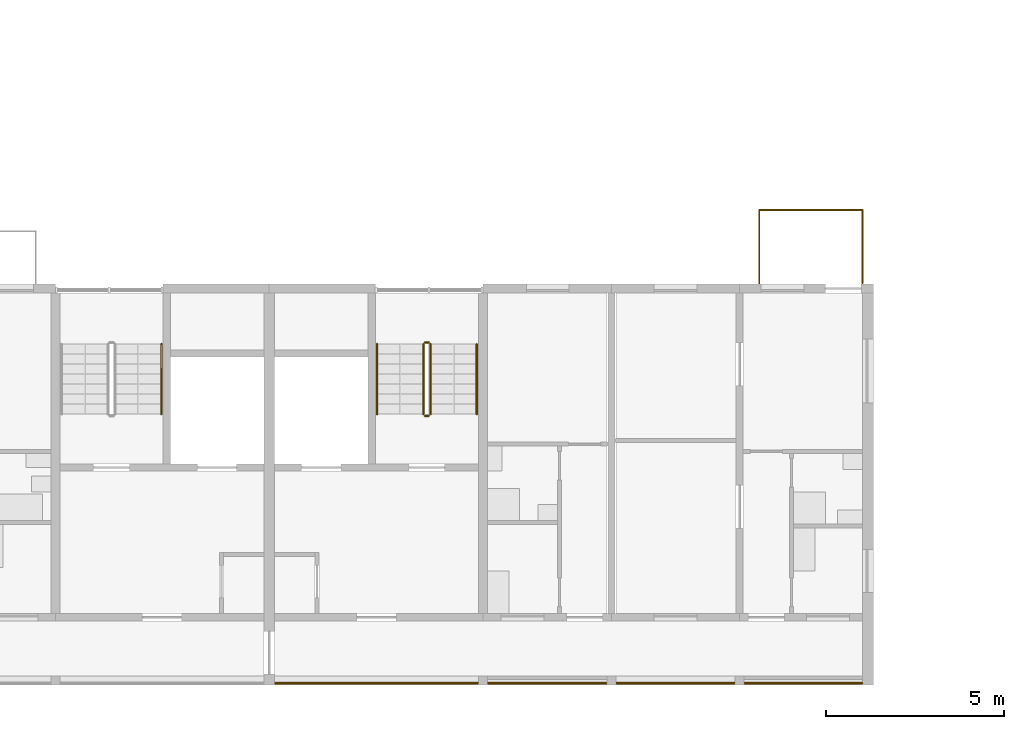
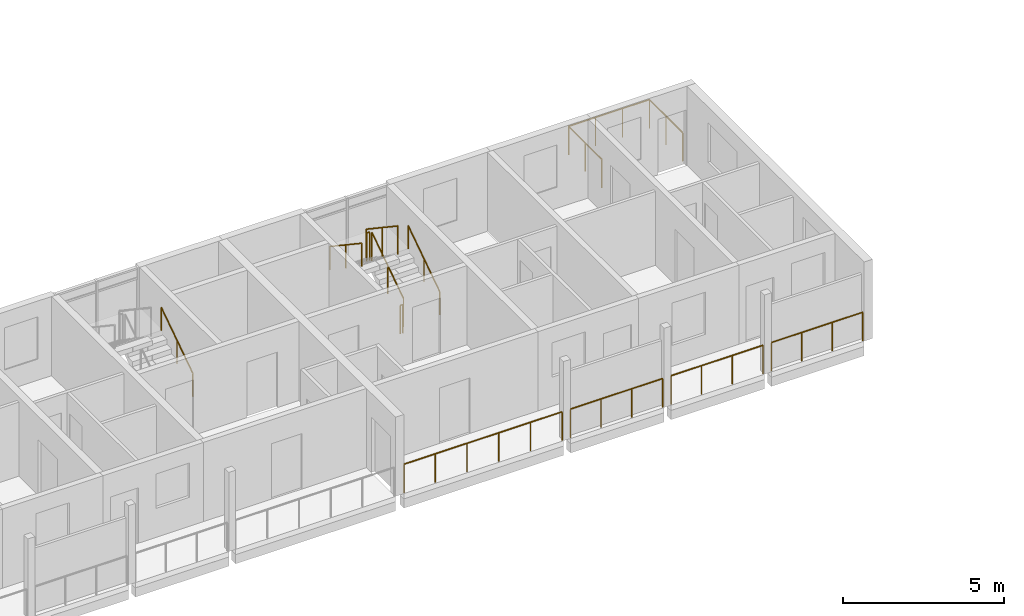
# One storey, part 84 of 99: 12 railings.
"""IFC4 building model written with IfcOpenShell, lengths in metres."""

from ifc_helpers import new_model, si_unit, direction, frame, origin, origin_2d, place, context, subcontext, project, spatial, circle, extrude, material, type_object, element, save


model = new_model("IFC4")

# Units and contexts
model_context = context("Model", 3, precision=1e-05, world=origin(), true_north=direction((0.0, 1.0)))
body_context = subcontext(model_context, "Body", "Model", "MODEL_VIEW")
ifc_project = project(units=[si_unit("LENGTHUNIT", "METRE"), si_unit("AREAUNIT", "SQUARE_METRE"), si_unit("VOLUMEUNIT", "CUBIC_METRE"), si_unit("PLANEANGLEUNIT", "RADIAN"), si_unit("MASSUNIT", "GRAM", prefix="KILO")], contexts=[model_context])

# Site, building, storey
site_placement = place(None, origin())
site = spatial("IfcSite", under=ifc_project, at=site_placement, CompositionType="ELEMENT")
building_placement = place(site_placement, origin())
building = spatial("IfcBuilding", under=site, at=building_placement, Name="Ridgestep Commons", CompositionType="ELEMENT")
storey_placement = place(building_placement, frame((0.0, 0.0, 15.0)))
storey = spatial("IfcBuildingStorey", under=building, at=storey_placement, Name="L05", CompositionType="ELEMENT", Elevation=15.0)

# Railings
ifc_material_1 = material(Name="Structural steel S355JR", Category="steel")
railing_type_1 = type_object("IfcRailingType", Name="Guard 1100", PredefinedType="GUARDRAIL", material=ifc_material_1)
railing_1_placement = place(storey_placement, frame((96.1708984375, 11.800048828125, 0.0)))
element("IfcRailing", 1, at=railing_1_placement, inside=storey, type_object=railing_type_1, Name="Gallery guard A 05.21", PredefinedType="GUARDRAIL", context=body_context, shape_type="SweptSolid", body=[
    extrude(circle(Radius=0.02392578125, at=origin_2d()), frame((0.0, 0.0, 1.076171875), z_axis=(1.0, 0.0, 0.0), x_axis=(0.0, 1.0, 0.0)), (0.0, 0.0, 1.0), 5.68310546875),
    extrude(circle(Radius=0.02099609375, at=origin_2d()), origin(), (0.0, 0.0, 1.0), 1.052001953125),
    extrude(circle(Radius=0.02099609375, at=origin_2d()), frame((1.13671875, 0.0, 0.0)), (0.0, 0.0, 1.0), 1.052001953125),
    extrude(circle(Radius=0.02099609375, at=origin_2d()), frame((2.273193359375, 0.0, 0.0)), (0.0, 0.0, 1.0), 1.052001953125),
    extrude(circle(Radius=0.02099609375, at=origin_2d()), frame((3.409912109375, 0.0, 0.0)), (0.0, 0.0, 1.0), 1.052001953125),
    extrude(circle(Radius=0.02099609375, at=origin_2d()), frame((4.54638671875, 0.0, 0.0)), (0.0, 0.0, 1.0), 1.052001953125),
    extrude(circle(Radius=0.02099609375, at=origin_2d()), frame((5.68310546875, 0.0, 0.0)), (0.0, 0.0, 1.0), 1.052001953125),
])
railing_2_placement = place(storey_placement, frame((102.14599609375, 11.800048828125, 0.0)))
element("IfcRailing", 2, at=railing_2_placement, inside=storey, type_object=railing_type_1, Name="Gallery guard A 05.22", PredefinedType="GUARDRAIL", context=body_context, shape_type="SweptSolid", body=[
    extrude(circle(Radius=0.02392578125, at=origin_2d()), frame((0.0, 0.0, 1.076171875), z_axis=(1.0, 0.0, 0.0), x_axis=(0.0, 1.0, 0.0)), (0.0, 0.0, 1.0), 3.30810546875),
    extrude(circle(Radius=0.02099609375, at=origin_2d()), origin(), (0.0, 0.0, 1.0), 1.052001953125),
    extrude(circle(Radius=0.02099609375, at=origin_2d()), frame((1.102783203125, 0.0, 0.0)), (0.0, 0.0, 1.0), 1.052001953125),
    extrude(circle(Radius=0.02099609375, at=origin_2d()), frame((2.205322265625, 0.0, 0.0)), (0.0, 0.0, 1.0), 1.052001953125),
    extrude(circle(Radius=0.02099609375, at=origin_2d()), frame((3.30810546875, 0.0, 0.0)), (0.0, 0.0, 1.0), 1.052001953125),
])
railing_3_placement = place(storey_placement, frame((105.74609375, 11.800048828125, 0.0)))
element("IfcRailing", 3, at=railing_3_placement, inside=storey, type_object=railing_type_1, Name="Gallery guard A 05.23", PredefinedType="GUARDRAIL", context=body_context, shape_type="SweptSolid", body=[
    extrude(circle(Radius=0.02392578125, at=origin_2d()), frame((0.0, 0.0, 1.076171875), z_axis=(1.0, 0.0, 0.0), x_axis=(0.0, 1.0, 0.0)), (0.0, 0.0, 1.0), 3.307861328125),
    extrude(circle(Radius=0.02099609375, at=origin_2d()), origin(), (0.0, 0.0, 1.0), 1.052001953125),
    extrude(circle(Radius=0.02099609375, at=origin_2d()), frame((1.1025390625, 0.0, 0.0)), (0.0, 0.0, 1.0), 1.052001953125),
    extrude(circle(Radius=0.02099609375, at=origin_2d()), frame((2.205322265625, 0.0, 0.0)), (0.0, 0.0, 1.0), 1.052001953125),
    extrude(circle(Radius=0.02099609375, at=origin_2d()), frame((3.307861328125, 0.0, 0.0)), (0.0, 0.0, 1.0), 1.052001953125),
])
railing_4_placement = place(storey_placement, frame((109.345947265625, 11.800048828125, 0.0)))
element("IfcRailing", 4, at=railing_4_placement, inside=storey, type_object=railing_type_1, Name="Gallery guard A 05.24", PredefinedType="GUARDRAIL", context=body_context, shape_type="SweptSolid", body=[
    extrude(circle(Radius=0.02392578125, at=origin_2d()), frame((0.0, 0.0, 1.076171875), z_axis=(1.0, 0.0, 0.0), x_axis=(0.0, 1.0, 0.0)), (0.0, 0.0, 1.0), 3.282958984375),
    extrude(circle(Radius=0.02099609375, at=origin_2d()), origin(), (0.0, 0.0, 1.0), 1.052001953125),
    extrude(circle(Radius=0.02099609375, at=origin_2d()), frame((1.09423828125, 0.0, 0.0)), (0.0, 0.0, 1.0), 1.052001953125),
    extrude(circle(Radius=0.02099609375, at=origin_2d()), frame((2.188720703125, 0.0, 0.0)), (0.0, 0.0, 1.0), 1.052001953125),
    extrude(circle(Radius=0.02099609375, at=origin_2d()), frame((3.282958984375, 0.0, 0.0)), (0.0, 0.0, 1.0), 1.052001953125),
])
ifc_material_2 = material(Name="Structural steel S355JR", Category="steel")
railing_type_2 = type_object("IfcRailingType", Name="Stair guard 1100", PredefinedType="GUARDRAIL", material=ifc_material_2)
railing_5_placement = place(storey_placement, frame((100.52490234375, 19.35009765625, 0.1875)))
element("IfcRailing", 5, at=railing_5_placement, inside=storey, type_object=railing_type_2, Name="L05 A6C stair guard 1", PredefinedType="GUARDRAIL", context=body_context, shape_type="SweptSolid", body=[
    extrude(circle(Radius=0.02392578125, at=origin_2d()), frame((0.0, 0.0, 1.076171875), z_axis=(0.0, 0.830902050051, 0.556418712142), x_axis=(-1.0, 0.0, 0.0)), (0.0, 0.0, 1.0), 2.35888671875),
    extrude(circle(Radius=0.02099609375, at=origin_2d()), origin(), (0.0, 0.0, 1.0), 1.052001953125),
    extrude(circle(Radius=0.02099609375, at=origin_2d()), frame((0.0, 0.97998046875, 0.65625)), (0.0, 0.0, 1.0), 1.052001953125),
    extrude(circle(Radius=0.02099609375, at=origin_2d()), frame((0.0, 1.9599609375, 1.3125)), (0.0, 0.0, 1.0), 1.052001953125),
])
railing_6_placement = place(storey_placement, frame((100.47509765625, 21.360107421875, 1.5)))
element("IfcRailing", 6, at=railing_6_placement, inside=storey, type_object=railing_type_2, Name="L05 A6C stair guard 2", PredefinedType="GUARDRAIL", context=body_context, shape_type="SweptSolid", body=[
    extrude(circle(Radius=0.02392578125, at=origin_2d()), frame((0.0, 0.0, 1.076171875), z_axis=(-1.0, 0.0, 0.0), x_axis=(0.0, -1.0, 0.0)), (0.0, 0.0, 1.0), 0.10009765625),
    extrude(circle(Radius=0.02099609375, at=origin_2d()), origin(), (0.0, 0.0, 1.0), 1.052001953125),
    extrude(circle(Radius=0.02099609375, at=origin_2d()), frame((-0.10009765625, 0.0, 0.0)), (0.0, 0.0, 1.0), 1.052001953125),
])
railing_7_placement = place(storey_placement, frame((100.324951171875, 21.31005859375, 1.6875)))
element("IfcRailing", 7, at=railing_7_placement, inside=storey, type_object=railing_type_2, Name="L05 A6C stair guard 3", PredefinedType="GUARDRAIL", context=body_context, shape_type="SweptSolid", body=[
    extrude(circle(Radius=0.02392578125, at=origin_2d()), frame((0.0, 0.0, 1.076171875), z_axis=(0.0, -0.830902050051, 0.556418712142), x_axis=(1.0, 0.0, 0.0)), (0.0, 0.0, 1.0), 2.35888671875),
    extrude(circle(Radius=0.02099609375, at=origin_2d()), origin(), (0.0, 0.0, 1.0), 1.052001953125),
    extrude(circle(Radius=0.02099609375, at=origin_2d()), frame((0.0, -0.97998046875, 0.65625)), (0.0, 0.0, 1.0), 1.052001953125),
    extrude(circle(Radius=0.02099609375, at=origin_2d()), frame((0.0, -1.9599609375, 1.3125)), (0.0, 0.0, 1.0), 1.052001953125),
])
railing_8_placement = place(storey_placement, frame((100.47509765625, 19.300048828125, 0.0)))
element("IfcRailing", 8, at=railing_8_placement, inside=storey, type_object=railing_type_2, Name="L05 A6C stair guard 4", PredefinedType="GUARDRAIL", context=body_context, shape_type="SweptSolid", body=[
    extrude(circle(Radius=0.02392578125, at=origin_2d()), frame((0.0, 0.0, 1.076171875), z_axis=(-1.0, 0.0, 0.0), x_axis=(0.0, -1.0, 0.0)), (0.0, 0.0, 1.0), 0.10009765625),
    extrude(circle(Radius=0.02099609375, at=origin_2d()), origin(), (0.0, 0.0, 1.0), 1.052001953125),
    extrude(circle(Radius=0.02099609375, at=origin_2d()), frame((-0.10009765625, 0.0, 0.0)), (0.0, 0.0, 1.0), 1.052001953125),
])
ifc_material_3 = material(Name="Structural steel S355JR", Category="steel")
railing_type_3 = type_object("IfcRailingType", Name="Stair handrail 900", PredefinedType="HANDRAIL", material=ifc_material_3)
for number, where, name in (
    (9, (92.97509765625, 19.35009765625, 0.1875), "L05 A5C stair handrail 1"),
    (10, (101.824951171875, 19.35009765625, 0.1875), "L05 A6C stair handrail 1"),
):
    element("IfcRailing", number, at=place(storey_placement, frame(where)), inside=storey, type_object=railing_type_3, Name=name, PredefinedType="HANDRAIL", context=body_context, shape_type="SweptSolid", body=[
        extrude(circle(Radius=0.02392578125, at=origin_2d()), frame((0.0, 0.0, 0.8759765625), z_axis=(0.0, 0.830902050051, 0.556418712142), x_axis=(-1.0, 0.0, 0.0)), (0.0, 0.0, 1.0), 2.35888671875),
        extrude(circle(Radius=0.02099609375, at=origin_2d()), origin(), (0.0, 0.0, 1.0), 0.851806640625),
        extrude(circle(Radius=0.02099609375, at=origin_2d()), frame((0.0, 0.97998046875, 0.65625)), (0.0, 0.0, 1.0), 0.851806640625),
        extrude(circle(Radius=0.02099609375, at=origin_2d()), frame((0.0, 1.9599609375, 1.3125)), (0.0, 0.0, 1.0), 0.851806640625),
    ])
railing_9_placement = place(storey_placement, frame((99.02490234375, 21.31005859375, 1.6875)))
element("IfcRailing", 11, at=railing_9_placement, inside=storey, type_object=railing_type_3, Name="L05 A6C stair handrail 2", PredefinedType="HANDRAIL", context=body_context, shape_type="SweptSolid", body=[
    extrude(circle(Radius=0.02392578125, at=origin_2d()), frame((0.0, 0.0, 0.8759765625), z_axis=(0.0, -0.830902050051, 0.556418712142), x_axis=(1.0, 0.0, 0.0)), (0.0, 0.0, 1.0), 2.35888671875),
    extrude(circle(Radius=0.02099609375, at=origin_2d()), origin(), (0.0, 0.0, 1.0), 0.851806640625),
    extrude(circle(Radius=0.02099609375, at=origin_2d()), frame((0.0, -0.97998046875, 0.65625)), (0.0, 0.0, 1.0), 0.851806640625),
    extrude(circle(Radius=0.02099609375, at=origin_2d()), frame((0.0, -1.9599609375, 1.3125)), (0.0, 0.0, 1.0), 0.851806640625),
])
ifc_material_4 = material(Name="Weathering steel S355J2W", Category="steel")
railing_type_4 = type_object("IfcRailingType", Name="Tray guard 1100", PredefinedType="GUARDRAIL", material=ifc_material_4)
railing_10_placement = place(storey_placement, frame((109.7509765625, 23.02099609375, 0.0)))
element("IfcRailing", 12, at=railing_10_placement, inside=storey, type_object=railing_type_4, Name="Tray guard A6T1-05", PredefinedType="GUARDRAIL", context=body_context, shape_type="SweptSolid", body=[
    extrude(circle(Radius=0.02392578125, at=origin_2d()), frame((0.0, 0.0, 1.076171875), z_axis=(0.0, 1.0, 0.0), x_axis=(-1.0, 0.0, 0.0)), (0.0, 0.0, 1.0), 2.05810546875),
    extrude(circle(Radius=0.02392578125, at=origin_2d()), frame((0.0, 2.05810546875, 1.076171875), z_axis=(1.0, 0.0, 0.0), x_axis=(0.0, 1.0, 0.0)), (0.0, 0.0, 1.0), 2.89794921875),
    extrude(circle(Radius=0.02392578125, at=origin_2d()), frame((2.89794921875, 2.05810546875, 1.076171875), z_axis=(0.0, -1.0, 0.0), x_axis=(1.0, 0.0, 0.0)), (0.0, 0.0, 1.0), 2.05810546875),
    extrude(circle(Radius=0.02099609375, at=origin_2d()), origin(), (0.0, 0.0, 1.0), 1.052001953125),
    extrude(circle(Radius=0.02099609375, at=origin_2d()), frame((0.0, 1.029052734375, 0.0)), (0.0, 0.0, 1.0), 1.052001953125),
    extrude(circle(Radius=0.02099609375, at=origin_2d()), frame((0.0, 2.05810546875, 0.0)), (0.0, 0.0, 1.0), 1.052001953125),
    extrude(circle(Radius=0.02099609375, at=origin_2d()), frame((0.966064453125, 2.05810546875, 0.0)), (0.0, 0.0, 1.0), 1.052001953125),
    extrude(circle(Radius=0.02099609375, at=origin_2d()), frame((1.931884765625, 2.05810546875, 0.0)), (0.0, 0.0, 1.0), 1.052001953125),
    extrude(circle(Radius=0.02099609375, at=origin_2d()), frame((2.89794921875, 2.05810546875, 0.0)), (0.0, 0.0, 1.0), 1.052001953125),
    extrude(circle(Radius=0.02099609375, at=origin_2d()), frame((2.89794921875, 1.029052734375, 0.0)), (0.0, 0.0, 1.0), 1.052001953125),
    extrude(circle(Radius=0.02099609375, at=origin_2d()), frame((2.89794921875, 0.0, 0.0)), (0.0, 0.0, 1.0), 1.052001953125),
])

save(model, "model.ifc")
